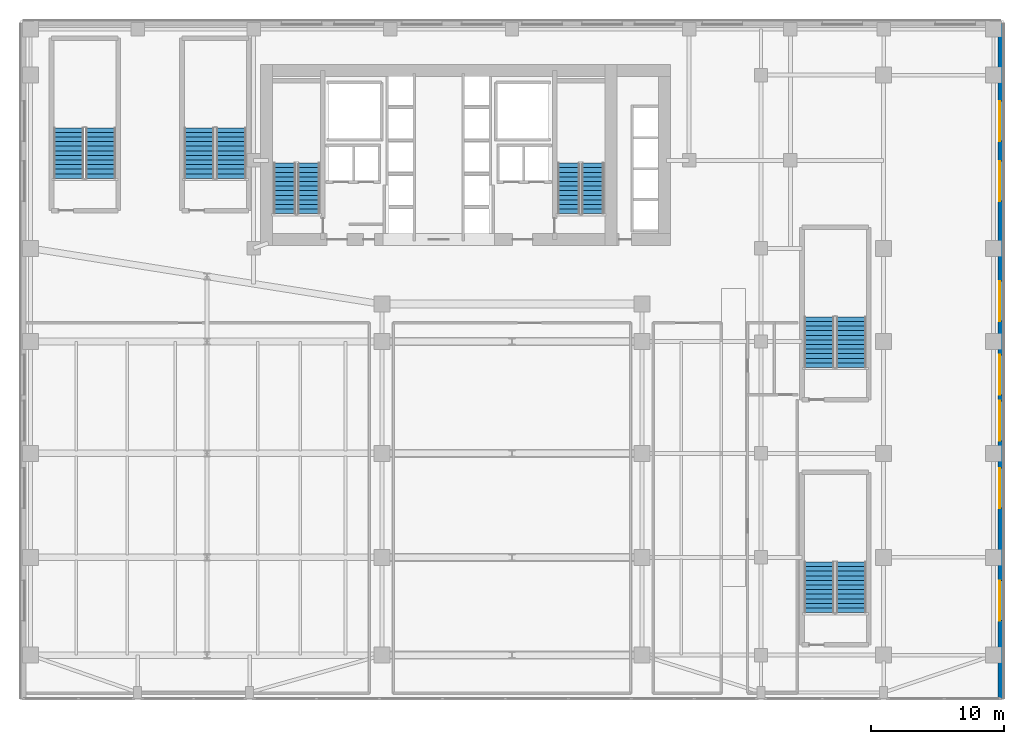
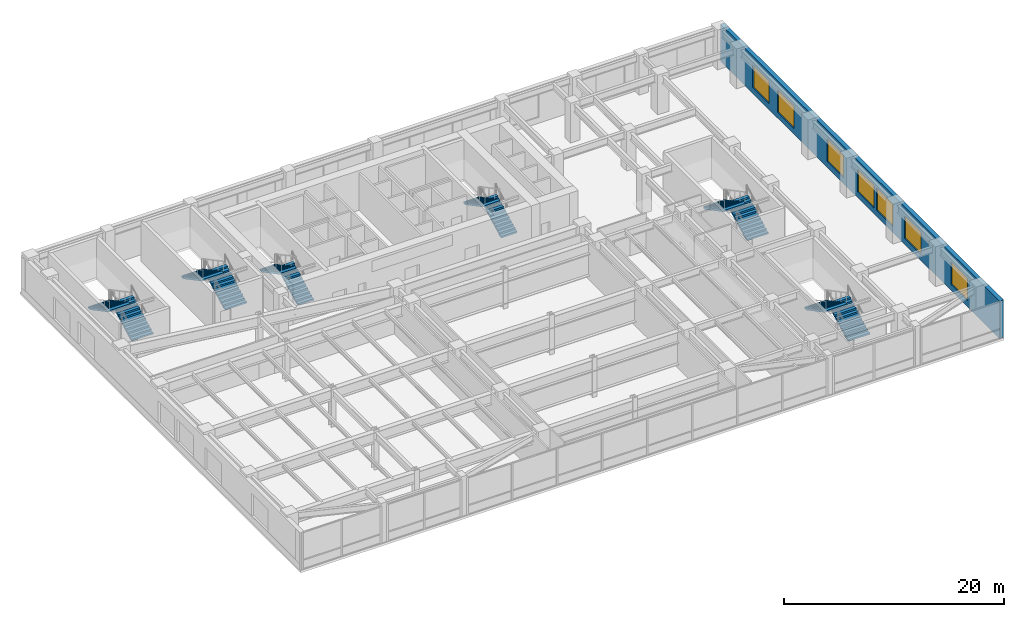
# One storey, part 21 of 27: 12 stair flights, 7 windows, 1 wall, 7 openings, 6 elements without a shape of their own.
"""IFC4 building model written with IfcOpenShell, lengths in metres."""

from ifc_helpers import new_model, si_unit, direction, frame, frame_2d, origin, place, context, subcontext, project, spatial, polyline, rectangle, outline, extrude, source, transform, mapped, material, layer, layer_set, type_object, type_shapes, element, fill, aggregate, save


model = new_model("IFC4")

# Units and contexts
model_context = context("Model", 3, precision=1e-05, world=origin(), true_north=direction((0.0, 1.0)))
body_context = subcontext(model_context, "Body", "Model", "MODEL_VIEW")
ifc_project = project(units=[si_unit("LENGTHUNIT", "METRE"), si_unit("AREAUNIT", "SQUARE_METRE"), si_unit("VOLUMEUNIT", "CUBIC_METRE"), si_unit("PLANEANGLEUNIT", "RADIAN"), si_unit("MASSUNIT", "GRAM", prefix="KILO")], contexts=[model_context])

# Site, building, storey
site_placement = place(None, origin())
site = spatial("IfcSite", under=ifc_project, at=site_placement, CompositionType="ELEMENT")
building_placement = place(site_placement, origin())
building = spatial("IfcBuilding", under=site, at=building_placement, Name="Tolvann Quenvar Hotel", CompositionType="ELEMENT")
storey_placement = place(building_placement, frame((0.0, 0.0, 22.39990234375)))
storey = spatial("IfcBuildingStorey", under=building, at=storey_placement, Name="L04", CompositionType="ELEMENT", Elevation=22.39990234375)

# Wall, openings, windows
ifc_material_1 = material(Name="Kiln-fired red and buff architectural clay brickwork and terracotta masonry", Category="masonry")
ifc_layer = layer(ifc_material_1, 0.419921875)
ifc_layer_set = layer_set([ifc_layer], Name="Kiln-fired red and buff architectural clay brickwork and terracotta masonry")
wall_type = type_object("IfcWallType", Name="WALL_EXT_POD_420", PredefinedType="SOLIDWALL", material=ifc_layer_set)
wall_placement = place(storey_placement, frame((65.18994140625, -2.409912109375, 0.0), z_axis=(0.0, 0.0, 1.0), x_axis=(0.0, 1.0, 0.0)))
wall = element("IfcWall", 1, at=wall_placement, inside=storey, type_object=wall_type, Name="Exterior Chicago Brick Wall L04-E01", PredefinedType="SOLIDWALL", context=body_context, shape_type="SweptSolid", body=[
    extrude(rectangle(XDim=50.699951171875, YDim=0.419921875, at=frame_2d((25.35009765625, 0.0))), origin(), (0.0, 0.0, 1.0), 4.14013671875),
])
opening_1_placement = place(wall_placement, frame((5.85009765625, 0.0, 0.64990234375)))
opening_1 = element("IfcOpeningElement", 2, at=opening_1_placement, cuts=wall, Name="Opening W-05", PredefinedType="OPENING", context=body_context, shape_type="SweptSolid", body=[
    extrude(rectangle(XDim=3.0, YDim=2.5, at=frame_2d((1.5, 1.25))), frame((0.0, 0.219970703125, 0.0), z_axis=(0.0, -1.0, 0.0), x_axis=(1.0, 0.0, 0.0)), (0.0, 0.0, 1.0), 0.43994140625),
])
opening_2_placement = place(wall_placement, frame((14.300048828125, 0.0, 0.64990234375)))
opening_2 = element("IfcOpeningElement", 3, at=opening_2_placement, cuts=wall, Name="Opening W-05", PredefinedType="OPENING", context=body_context, shape_type="SweptSolid", body=[
    extrude(rectangle(XDim=3.0, YDim=2.5, at=frame_2d((1.5, 1.25))), frame((0.0, 0.219970703125, 0.0), z_axis=(0.0, -1.0, 0.0), x_axis=(1.0, 0.0, 0.0)), (0.0, 0.0, 1.0), 0.43994140625),
])
opening_3_placement = place(wall_placement, frame((19.35009765625, 0.0, 0.64990234375)))
opening_3 = element("IfcOpeningElement", 4, at=opening_3_placement, cuts=wall, Name="Opening W-05", PredefinedType="OPENING", context=body_context, shape_type="SweptSolid", body=[
    extrude(rectangle(XDim=3.0, YDim=2.5, at=frame_2d((1.5, 1.25))), frame((0.0, 0.219970703125, 0.0), z_axis=(0.0, -1.0, 0.0), x_axis=(1.0, 0.0, 0.0)), (0.0, 0.0, 1.0), 0.43994140625),
])
opening_4_placement = place(wall_placement, frame((22.800048828125, 0.0, 0.64990234375)))
opening_4 = element("IfcOpeningElement", 5, at=opening_4_placement, cuts=wall, Name="Opening W-05", PredefinedType="OPENING", context=body_context, shape_type="SweptSolid", body=[
    extrude(rectangle(XDim=3.0, YDim=2.5, at=frame_2d((1.5, 1.25))), frame((0.0, 0.219970703125, 0.0), z_axis=(0.0, -1.0, 0.0), x_axis=(1.0, 0.0, 0.0)), (0.0, 0.0, 1.0), 0.43994140625),
])
opening_5_placement = place(wall_placement, frame((28.35009765625, 0.0, 0.64990234375)))
opening_5 = element("IfcOpeningElement", 6, at=opening_5_placement, cuts=wall, Name="Opening W-05", PredefinedType="OPENING", context=body_context, shape_type="SweptSolid", body=[
    extrude(rectangle(XDim=3.0, YDim=2.5, at=frame_2d((1.5, 1.25))), frame((0.0, 0.219970703125, 0.0), z_axis=(0.0, -1.0, 0.0), x_axis=(1.0, 0.0, 0.0)), (0.0, 0.0, 1.0), 0.43994140625),
])
opening_6_placement = place(wall_placement, frame((37.35009765625, 0.0, 0.64990234375)))
opening_6 = element("IfcOpeningElement", 7, at=opening_6_placement, cuts=wall, Name="Opening W-05", PredefinedType="OPENING", context=body_context, shape_type="SweptSolid", body=[
    extrude(rectangle(XDim=3.0, YDim=2.5, at=frame_2d((1.5, 1.25))), frame((0.0, 0.219970703125, 0.0), z_axis=(0.0, -1.0, 0.0), x_axis=(1.0, 0.0, 0.0)), (0.0, 0.0, 1.0), 0.43994140625),
])
opening_7_placement = place(wall_placement, frame((41.85009765625, 0.0, 0.64990234375)))
opening_7 = element("IfcOpeningElement", 8, at=opening_7_placement, cuts=wall, Name="Opening W-05", PredefinedType="OPENING", context=body_context, shape_type="SweptSolid", body=[
    extrude(rectangle(XDim=3.0, YDim=2.5, at=frame_2d((1.5, 1.25))), frame((0.0, 0.219970703125, 0.0), z_axis=(0.0, -1.0, 0.0), x_axis=(1.0, 0.0, 0.0)), (0.0, 0.0, 1.0), 0.43994140625),
])
ifc_material_2 = material(Name="Thermally broken bronze-anodised aluminium frame with double low-E glazing", Category="aluminium")
window_type = type_object("IfcWindowType", Name="WIN_POD_3000x2600", PartitioningType="TRIPLE_PANEL_HORIZONTAL", PredefinedType="WINDOW", material=ifc_material_2)
shared_shape = source(origin(), body_context, "Body", "SweptSolid", [
    extrude(rectangle(XDim=3.0, YDim=2.5, at=frame_2d((1.5, 1.25))), frame((0.0, 0.090087890625, 0.0), z_axis=(0.0, -1.0, 0.0), x_axis=(1.0, 0.0, 0.0)), (0.0, 0.0, 1.0), 0.06005859375),
])
type_shapes(window_type, [shared_shape])
window_1_placement = place(opening_1_placement, origin())
window_1 = element("IfcWindow", 9, at=window_1_placement, inside=storey, type_object=window_type, Name="Chicago Window W-05 (EW-L04-E01-W01)", OverallHeight=2.5, OverallWidth=3.0, PartitioningType="TRIPLE_PANEL_HORIZONTAL", PredefinedType="WINDOW", context=body_context, shape_type="MappedRepresentation", body=[
    mapped(shared_shape, transform((0.0, 0.0, 0.0), x_axis=(1.0, 0.0, 0.0), y_axis=(0.0, 1.0, 0.0), z_axis=(0.0, 0.0, 1.0), scale=1.0)),
])
fill(opening_1, window_1)
window_2_placement = place(opening_2_placement, origin())
window_2 = element("IfcWindow", 10, at=window_2_placement, inside=storey, type_object=window_type, Name="Chicago Window W-05 (EW-L04-E01-W02)", OverallHeight=2.5, OverallWidth=3.0, PartitioningType="TRIPLE_PANEL_HORIZONTAL", PredefinedType="WINDOW", context=body_context, shape_type="MappedRepresentation", body=[
    mapped(shared_shape, transform((0.0, 0.0, 0.0), x_axis=(1.0, 0.0, 0.0), y_axis=(0.0, 1.0, 0.0), z_axis=(0.0, 0.0, 1.0), scale=1.0)),
])
fill(opening_2, window_2)
window_3_placement = place(opening_3_placement, origin())
window_3 = element("IfcWindow", 11, at=window_3_placement, inside=storey, type_object=window_type, Name="Chicago Window W-05 (EW-L04-E01-W03)", OverallHeight=2.5, OverallWidth=3.0, PartitioningType="TRIPLE_PANEL_HORIZONTAL", PredefinedType="WINDOW", context=body_context, shape_type="MappedRepresentation", body=[
    mapped(shared_shape, transform((0.0, 0.0, 0.0), x_axis=(1.0, 0.0, 0.0), y_axis=(0.0, 1.0, 0.0), z_axis=(0.0, 0.0, 1.0), scale=1.0)),
])
fill(opening_3, window_3)
window_4_placement = place(opening_4_placement, origin())
window_4 = element("IfcWindow", 12, at=window_4_placement, inside=storey, type_object=window_type, Name="Chicago Window W-05 (EW-L04-E01-W04)", OverallHeight=2.5, OverallWidth=3.0, PartitioningType="TRIPLE_PANEL_HORIZONTAL", PredefinedType="WINDOW", context=body_context, shape_type="MappedRepresentation", body=[
    mapped(shared_shape, transform((0.0, 0.0, 0.0), x_axis=(1.0, 0.0, 0.0), y_axis=(0.0, 1.0, 0.0), z_axis=(0.0, 0.0, 1.0), scale=1.0)),
])
fill(opening_4, window_4)
window_5_placement = place(opening_5_placement, origin())
window_5 = element("IfcWindow", 13, at=window_5_placement, inside=storey, type_object=window_type, Name="Chicago Window W-05 (EW-L04-E01-W05)", OverallHeight=2.5, OverallWidth=3.0, PartitioningType="TRIPLE_PANEL_HORIZONTAL", PredefinedType="WINDOW", context=body_context, shape_type="MappedRepresentation", body=[
    mapped(shared_shape, transform((0.0, 0.0, 0.0), x_axis=(1.0, 0.0, 0.0), y_axis=(0.0, 1.0, 0.0), z_axis=(0.0, 0.0, 1.0), scale=1.0)),
])
fill(opening_5, window_5)
window_6_placement = place(opening_6_placement, origin())
window_6 = element("IfcWindow", 14, at=window_6_placement, inside=storey, type_object=window_type, Name="Chicago Window W-05 (EW-L04-E01-W06)", OverallHeight=2.5, OverallWidth=3.0, PartitioningType="TRIPLE_PANEL_HORIZONTAL", PredefinedType="WINDOW", context=body_context, shape_type="MappedRepresentation", body=[
    mapped(shared_shape, transform((0.0, 0.0, 0.0), x_axis=(1.0, 0.0, 0.0), y_axis=(0.0, 1.0, 0.0), z_axis=(0.0, 0.0, 1.0), scale=1.0)),
])
fill(opening_6, window_6)
window_7_placement = place(opening_7_placement, origin())
window_7 = element("IfcWindow", 15, at=window_7_placement, inside=storey, type_object=window_type, Name="Chicago Window W-05 (EW-L04-E01-W07)", OverallHeight=2.5, OverallWidth=3.0, PartitioningType="TRIPLE_PANEL_HORIZONTAL", PredefinedType="WINDOW", context=body_context, shape_type="MappedRepresentation", body=[
    mapped(shared_shape, transform((0.0, 0.0, 0.0), x_axis=(1.0, 0.0, 0.0), y_axis=(0.0, 1.0, 0.0), z_axis=(0.0, 0.0, 1.0), scale=1.0)),
])
fill(opening_7, window_7)

# Stair, stair flights
ifc_material_3 = material(Name="Concrete N40 (40 MPa)", Category="concrete")
stair_type = type_object("IfcStairType", Name="STAIR", PredefinedType="HALF_TURN_STAIR", material=ifc_material_3)
stair_1_placement = place(storey_placement, origin())
stair_1 = element("IfcStair", 16, at=stair_1_placement, inside=storey, type_object=stair_type, Name="L04 ST-C1", PredefinedType="HALF_TURN_STAIR")
stair_flight_type = type_object("IfcStairFlightType", Name="STAIR_FLIGHT", PredefinedType="STRAIGHT", material=ifc_material_3)
stair_flight_1_placement = place(storey_placement, frame((13.22509765625, 34.0, 0.0), z_axis=(0.0, 0.0, 1.0), x_axis=(0.0, 1.0, 0.0)))
stair_flight_1 = element("IfcStairFlight", 17, at=stair_flight_1_placement, type_object=stair_flight_type, Name="ST-C1 flight 1", NumberOfRisers=12, NumberOfTreads=11, PredefinedType="STRAIGHT", RiserHeight=0.183333333, TreadLength=0.345, context=body_context, shape_type="SweptSolid", body=[
    extrude(outline(polyline([(0.0, 0.0), (0.0, 0.183349609375), (0.344970703125, 0.183349609375), (0.344970703125, 0.36669921875), (0.68994140625, 0.36669921875), (0.68994140625, 0.550048828125), (1.034912109375, 0.550048828125), (1.034912109375, 0.7333984375), (1.3798828125, 0.7333984375), (1.3798828125, 0.916748046875), (1.72509765625, 0.916748046875), (1.72509765625, 1.10009765625), (2.070068359375, 1.10009765625), (2.070068359375, 1.283447265625), (2.4150390625, 1.283447265625), (2.4150390625, 1.466552734375), (2.760009765625, 1.466552734375), (2.760009765625, 1.64990234375), (3.10498046875, 1.64990234375), (3.10498046875, 1.833251953125), (3.449951171875, 1.833251953125), (3.449951171875, 2.0166015625), (3.794921875, 2.0166015625), (3.794921875, 2.199951171875), (3.794921875, 1.846923828125), (0.3193359375, 0.0), (0.0, 0.0)])), frame((0.0, 0.824951171875, 0.0), z_axis=(0.0, -1.0, 0.0), x_axis=(1.0, 0.0, 0.0)), (0.0, 0.0, 1.0), 1.64990234375),
])
stair_flight_2_placement = place(storey_placement, frame((11.425048828125, 37.794921875, 2.2001953125), z_axis=(0.0, 0.0, 1.0), x_axis=(0.0, -1.0, 0.0)))
stair_flight_2 = element("IfcStairFlight", 18, at=stair_flight_2_placement, type_object=stair_flight_type, Name="ST-C1 flight 2", NumberOfRisers=12, NumberOfTreads=11, PredefinedType="STRAIGHT", RiserHeight=0.183333333, TreadLength=0.345, context=body_context, shape_type="SweptSolid", body=[
    extrude(outline(polyline([(0.0, 0.0), (0.0, 0.183349609375), (0.344970703125, 0.183349609375), (0.344970703125, 0.36669921875), (0.68994140625, 0.36669921875), (0.68994140625, 0.550048828125), (1.034912109375, 0.550048828125), (1.034912109375, 0.7333984375), (1.3798828125, 0.7333984375), (1.3798828125, 0.916748046875), (1.72509765625, 0.916748046875), (1.72509765625, 1.10009765625), (2.070068359375, 1.10009765625), (2.070068359375, 1.283447265625), (2.4150390625, 1.283447265625), (2.4150390625, 1.466552734375), (2.760009765625, 1.466552734375), (2.760009765625, 1.64990234375), (3.10498046875, 1.64990234375), (3.10498046875, 1.833251953125), (3.449951171875, 1.833251953125), (3.449951171875, 2.0166015625), (3.794921875, 2.0166015625), (3.794921875, 2.199951171875), (3.794921875, 1.846923828125), (0.3193359375, 0.0), (0.0, 0.0)])), frame((0.0, 0.824951171875, 0.0), z_axis=(0.0, -1.0, 0.0), x_axis=(1.0, 0.0, 0.0)), (0.0, 0.0, 1.0), 1.64990234375),
])
aggregate(stair_1, [stair_flight_1, stair_flight_2])

stair_2_placement = place(storey_placement, origin())
stair_2 = element("IfcStair", 19, at=stair_2_placement, inside=storey, type_object=stair_type, Name="L04 ST-C2", PredefinedType="HALF_TURN_STAIR")
stair_flight_3_placement = place(storey_placement, frame((34.574951171875, 34.0, 0.0), z_axis=(0.0, 0.0, 1.0), x_axis=(0.0, 1.0, 0.0)))
stair_flight_3 = element("IfcStairFlight", 20, at=stair_flight_3_placement, type_object=stair_flight_type, Name="ST-C2 flight 1", NumberOfRisers=12, NumberOfTreads=11, PredefinedType="STRAIGHT", RiserHeight=0.183333333, TreadLength=0.345, context=body_context, shape_type="SweptSolid", body=[
    extrude(outline(polyline([(0.0, 0.0), (0.0, 0.183349609375), (0.344970703125, 0.183349609375), (0.344970703125, 0.36669921875), (0.68994140625, 0.36669921875), (0.68994140625, 0.550048828125), (1.034912109375, 0.550048828125), (1.034912109375, 0.7333984375), (1.3798828125, 0.7333984375), (1.3798828125, 0.916748046875), (1.72509765625, 0.916748046875), (1.72509765625, 1.10009765625), (2.070068359375, 1.10009765625), (2.070068359375, 1.283447265625), (2.4150390625, 1.283447265625), (2.4150390625, 1.466552734375), (2.760009765625, 1.466552734375), (2.760009765625, 1.64990234375), (3.10498046875, 1.64990234375), (3.10498046875, 1.833251953125), (3.449951171875, 1.833251953125), (3.449951171875, 2.0166015625), (3.794921875, 2.0166015625), (3.794921875, 2.199951171875), (3.794921875, 1.846923828125), (0.3193359375, 0.0), (0.0, 0.0)])), frame((0.0, 0.824951171875, 0.0), z_axis=(0.0, -1.0, 0.0), x_axis=(1.0, 0.0, 0.0)), (0.0, 0.0, 1.0), 1.64990234375),
])
stair_flight_4_placement = place(storey_placement, frame((32.77490234375, 37.794921875, 2.2001953125), z_axis=(0.0, 0.0, 1.0), x_axis=(0.0, -1.0, 0.0)))
stair_flight_4 = element("IfcStairFlight", 21, at=stair_flight_4_placement, type_object=stair_flight_type, Name="ST-C2 flight 2", NumberOfRisers=12, NumberOfTreads=11, PredefinedType="STRAIGHT", RiserHeight=0.183333333, TreadLength=0.345, context=body_context, shape_type="SweptSolid", body=[
    extrude(outline(polyline([(0.0, 0.0), (0.0, 0.183349609375), (0.344970703125, 0.183349609375), (0.344970703125, 0.36669921875), (0.68994140625, 0.36669921875), (0.68994140625, 0.550048828125), (1.034912109375, 0.550048828125), (1.034912109375, 0.7333984375), (1.3798828125, 0.7333984375), (1.3798828125, 0.916748046875), (1.72509765625, 0.916748046875), (1.72509765625, 1.10009765625), (2.070068359375, 1.10009765625), (2.070068359375, 1.283447265625), (2.4150390625, 1.283447265625), (2.4150390625, 1.466552734375), (2.760009765625, 1.466552734375), (2.760009765625, 1.64990234375), (3.10498046875, 1.64990234375), (3.10498046875, 1.833251953125), (3.449951171875, 1.833251953125), (3.449951171875, 2.0166015625), (3.794921875, 2.0166015625), (3.794921875, 2.199951171875), (3.794921875, 1.846923828125), (0.3193359375, 0.0), (0.0, 0.0)])), frame((0.0, 0.824951171875, 0.0), z_axis=(0.0, -1.0, 0.0), x_axis=(1.0, 0.0, 0.0)), (0.0, 0.0, 1.0), 1.64990234375),
])
aggregate(stair_2, [stair_flight_3, stair_flight_4])

stair_3_placement = place(storey_placement, origin())
stair_3 = element("IfcStair", 22, at=stair_3_placement, inside=storey, type_object=stair_type, Name="L04 ST-P1", PredefinedType="HALF_TURN_STAIR")
stair_flight_5_placement = place(storey_placement, frame((-2.375, 36.64990234375, 0.0), z_axis=(0.0, 0.0, 1.0), x_axis=(0.0, 1.0, 0.0)))
stair_flight_5 = element("IfcStairFlight", 23, at=stair_flight_5_placement, type_object=stair_flight_type, Name="ST-P1 flight 1", NumberOfRisers=12, NumberOfTreads=11, PredefinedType="STRAIGHT", RiserHeight=0.183333333, TreadLength=0.345, context=body_context, shape_type="SweptSolid", body=[
    extrude(outline(polyline([(0.0, 0.0), (0.0, 0.183349609375), (0.344970703125, 0.183349609375), (0.344970703125, 0.36669921875), (0.68994140625, 0.36669921875), (0.68994140625, 0.550048828125), (1.034912109375, 0.550048828125), (1.034912109375, 0.7333984375), (1.3798828125, 0.7333984375), (1.3798828125, 0.916748046875), (1.72509765625, 0.916748046875), (1.72509765625, 1.10009765625), (2.070068359375, 1.10009765625), (2.070068359375, 1.283447265625), (2.4150390625, 1.283447265625), (2.4150390625, 1.466552734375), (2.760009765625, 1.466552734375), (2.760009765625, 1.64990234375), (3.10498046875, 1.64990234375), (3.10498046875, 1.833251953125), (3.449951171875, 1.833251953125), (3.449951171875, 2.0166015625), (3.794921875, 2.0166015625), (3.794921875, 2.199951171875), (3.794921875, 1.846923828125), (0.3193359375, 0.0), (0.0, 0.0)])), frame((0.0, 1.125, 0.0), z_axis=(0.0, -1.0, 0.0), x_axis=(1.0, 0.0, 0.0)), (0.0, 0.0, 1.0), 2.25),
])
stair_flight_6_placement = place(storey_placement, frame((-4.77490234375, 40.445068359375, 2.2001953125), z_axis=(0.0, 0.0, 1.0), x_axis=(0.0, -1.0, 0.0)))
stair_flight_6 = element("IfcStairFlight", 24, at=stair_flight_6_placement, type_object=stair_flight_type, Name="ST-P1 flight 2", NumberOfRisers=12, NumberOfTreads=11, PredefinedType="STRAIGHT", RiserHeight=0.183333333, TreadLength=0.345, context=body_context, shape_type="SweptSolid", body=[
    extrude(outline(polyline([(0.0, 0.0), (0.0, 0.183349609375), (0.344970703125, 0.183349609375), (0.344970703125, 0.36669921875), (0.68994140625, 0.36669921875), (0.68994140625, 0.550048828125), (1.034912109375, 0.550048828125), (1.034912109375, 0.7333984375), (1.3798828125, 0.7333984375), (1.3798828125, 0.916748046875), (1.72509765625, 0.916748046875), (1.72509765625, 1.10009765625), (2.070068359375, 1.10009765625), (2.070068359375, 1.283447265625), (2.4150390625, 1.283447265625), (2.4150390625, 1.466552734375), (2.760009765625, 1.466552734375), (2.760009765625, 1.64990234375), (3.10498046875, 1.64990234375), (3.10498046875, 1.833251953125), (3.449951171875, 1.833251953125), (3.449951171875, 2.0166015625), (3.794921875, 2.0166015625), (3.794921875, 2.199951171875), (3.794921875, 1.846923828125), (0.3193359375, 0.0), (0.0, 0.0)])), frame((0.0, 1.125, 0.0), z_axis=(0.0, -1.0, 0.0), x_axis=(1.0, 0.0, 0.0)), (0.0, 0.0, 1.0), 2.25),
])
aggregate(stair_3, [stair_flight_5, stair_flight_6])

stair_4_placement = place(storey_placement, origin())
stair_4 = element("IfcStair", 25, at=stair_4_placement, inside=storey, type_object=stair_type, Name="L04 ST-P2", PredefinedType="HALF_TURN_STAIR")
stair_flight_7_placement = place(storey_placement, frame((7.425048828125, 36.64990234375, 0.0), z_axis=(0.0, 0.0, 1.0), x_axis=(0.0, 1.0, 0.0)))
stair_flight_7 = element("IfcStairFlight", 26, at=stair_flight_7_placement, type_object=stair_flight_type, Name="ST-P2 flight 1", NumberOfRisers=12, NumberOfTreads=11, PredefinedType="STRAIGHT", RiserHeight=0.183333333, TreadLength=0.345, context=body_context, shape_type="SweptSolid", body=[
    extrude(outline(polyline([(0.0, 0.0), (0.0, 0.183349609375), (0.344970703125, 0.183349609375), (0.344970703125, 0.36669921875), (0.68994140625, 0.36669921875), (0.68994140625, 0.550048828125), (1.034912109375, 0.550048828125), (1.034912109375, 0.7333984375), (1.3798828125, 0.7333984375), (1.3798828125, 0.916748046875), (1.72509765625, 0.916748046875), (1.72509765625, 1.10009765625), (2.070068359375, 1.10009765625), (2.070068359375, 1.283447265625), (2.4150390625, 1.283447265625), (2.4150390625, 1.466552734375), (2.760009765625, 1.466552734375), (2.760009765625, 1.64990234375), (3.10498046875, 1.64990234375), (3.10498046875, 1.833251953125), (3.449951171875, 1.833251953125), (3.449951171875, 2.0166015625), (3.794921875, 2.0166015625), (3.794921875, 2.199951171875), (3.794921875, 1.846923828125), (0.3193359375, 0.0), (0.0, 0.0)])), frame((0.0, 1.125, 0.0), z_axis=(0.0, -1.0, 0.0), x_axis=(1.0, 0.0, 0.0)), (0.0, 0.0, 1.0), 2.25),
])
stair_flight_8_placement = place(storey_placement, frame((5.02490234375, 40.445068359375, 2.2001953125), z_axis=(0.0, 0.0, 1.0), x_axis=(0.0, -1.0, 0.0)))
stair_flight_8 = element("IfcStairFlight", 27, at=stair_flight_8_placement, type_object=stair_flight_type, Name="ST-P2 flight 2", NumberOfRisers=12, NumberOfTreads=11, PredefinedType="STRAIGHT", RiserHeight=0.183333333, TreadLength=0.345, context=body_context, shape_type="SweptSolid", body=[
    extrude(outline(polyline([(0.0, 0.0), (0.0, 0.183349609375), (0.344970703125, 0.183349609375), (0.344970703125, 0.36669921875), (0.68994140625, 0.36669921875), (0.68994140625, 0.550048828125), (1.034912109375, 0.550048828125), (1.034912109375, 0.7333984375), (1.3798828125, 0.7333984375), (1.3798828125, 0.916748046875), (1.72509765625, 0.916748046875), (1.72509765625, 1.10009765625), (2.070068359375, 1.10009765625), (2.070068359375, 1.283447265625), (2.4150390625, 1.283447265625), (2.4150390625, 1.466552734375), (2.760009765625, 1.466552734375), (2.760009765625, 1.64990234375), (3.10498046875, 1.64990234375), (3.10498046875, 1.833251953125), (3.449951171875, 1.833251953125), (3.449951171875, 2.0166015625), (3.794921875, 2.0166015625), (3.794921875, 2.199951171875), (3.794921875, 1.846923828125), (0.3193359375, 0.0), (0.0, 0.0)])), frame((0.0, 1.125, 0.0), z_axis=(0.0, -1.0, 0.0), x_axis=(1.0, 0.0, 0.0)), (0.0, 0.0, 1.0), 2.25),
])
aggregate(stair_4, [stair_flight_7, stair_flight_8])

stair_5_placement = place(storey_placement, origin())
stair_5 = element("IfcStair", 28, at=stair_5_placement, inside=storey, type_object=stair_type, Name="L04 ST-P3", PredefinedType="HALF_TURN_STAIR")
stair_flight_9_placement = place(storey_placement, frame((53.97509765625, 4.050048828125, 0.0), z_axis=(0.0, 0.0, 1.0), x_axis=(0.0, 1.0, 0.0)))
stair_flight_9 = element("IfcStairFlight", 29, at=stair_flight_9_placement, type_object=stair_flight_type, Name="ST-P3 flight 1", NumberOfRisers=12, NumberOfTreads=11, PredefinedType="STRAIGHT", RiserHeight=0.183333333, TreadLength=0.345, context=body_context, shape_type="SweptSolid", body=[
    extrude(outline(polyline([(0.0, 0.0), (0.0, 0.183349609375), (0.344970703125, 0.183349609375), (0.344970703125, 0.36669921875), (0.68994140625, 0.36669921875), (0.68994140625, 0.550048828125), (1.034912109375, 0.550048828125), (1.034912109375, 0.7333984375), (1.3798828125, 0.7333984375), (1.3798828125, 0.916748046875), (1.72509765625, 0.916748046875), (1.72509765625, 1.10009765625), (2.070068359375, 1.10009765625), (2.070068359375, 1.283447265625), (2.4150390625, 1.283447265625), (2.4150390625, 1.466552734375), (2.760009765625, 1.466552734375), (2.760009765625, 1.64990234375), (3.10498046875, 1.64990234375), (3.10498046875, 1.833251953125), (3.449951171875, 1.833251953125), (3.449951171875, 2.0166015625), (3.794921875, 2.0166015625), (3.794921875, 2.199951171875), (3.794921875, 1.846923828125), (0.3193359375, 0.0), (0.0, 0.0)])), frame((0.0, 1.125, 0.0), z_axis=(0.0, -1.0, 0.0), x_axis=(1.0, 0.0, 0.0)), (0.0, 0.0, 1.0), 2.25),
])
stair_flight_10_placement = place(storey_placement, frame((51.574951171875, 7.844970703125, 2.2001953125), z_axis=(0.0, 0.0, 1.0), x_axis=(0.0, -1.0, 0.0)))
stair_flight_10 = element("IfcStairFlight", 30, at=stair_flight_10_placement, type_object=stair_flight_type, Name="ST-P3 flight 2", NumberOfRisers=12, NumberOfTreads=11, PredefinedType="STRAIGHT", RiserHeight=0.183333333, TreadLength=0.345, context=body_context, shape_type="SweptSolid", body=[
    extrude(outline(polyline([(0.0, 0.0), (0.0, 0.183349609375), (0.344970703125, 0.183349609375), (0.344970703125, 0.36669921875), (0.68994140625, 0.36669921875), (0.68994140625, 0.550048828125), (1.034912109375, 0.550048828125), (1.034912109375, 0.7333984375), (1.3798828125, 0.7333984375), (1.3798828125, 0.916748046875), (1.72509765625, 0.916748046875), (1.72509765625, 1.10009765625), (2.070068359375, 1.10009765625), (2.070068359375, 1.283447265625), (2.4150390625, 1.283447265625), (2.4150390625, 1.466552734375), (2.760009765625, 1.466552734375), (2.760009765625, 1.64990234375), (3.10498046875, 1.64990234375), (3.10498046875, 1.833251953125), (3.449951171875, 1.833251953125), (3.449951171875, 2.0166015625), (3.794921875, 2.0166015625), (3.794921875, 2.199951171875), (3.794921875, 1.846923828125), (0.3193359375, 0.0), (0.0, 0.0)])), frame((0.0, 1.125, 0.0), z_axis=(0.0, -1.0, 0.0), x_axis=(1.0, 0.0, 0.0)), (0.0, 0.0, 1.0), 2.25),
])
aggregate(stair_5, [stair_flight_9, stair_flight_10])

stair_6_placement = place(storey_placement, origin())
stair_6 = element("IfcStair", 31, at=stair_6_placement, inside=storey, type_object=stair_type, Name="L04 ST-P4", PredefinedType="HALF_TURN_STAIR")
stair_flight_11_placement = place(storey_placement, frame((53.97509765625, 22.449951171875, 0.0), z_axis=(0.0, 0.0, 1.0), x_axis=(0.0, 1.0, 0.0)))
stair_flight_11 = element("IfcStairFlight", 32, at=stair_flight_11_placement, type_object=stair_flight_type, Name="ST-P4 flight 1", NumberOfRisers=12, NumberOfTreads=11, PredefinedType="STRAIGHT", RiserHeight=0.183333333, TreadLength=0.345, context=body_context, shape_type="SweptSolid", body=[
    extrude(outline(polyline([(0.0, 0.0), (0.0, 0.183349609375), (0.344970703125, 0.183349609375), (0.344970703125, 0.36669921875), (0.68994140625, 0.36669921875), (0.68994140625, 0.550048828125), (1.034912109375, 0.550048828125), (1.034912109375, 0.7333984375), (1.3798828125, 0.7333984375), (1.3798828125, 0.916748046875), (1.72509765625, 0.916748046875), (1.72509765625, 1.10009765625), (2.070068359375, 1.10009765625), (2.070068359375, 1.283447265625), (2.4150390625, 1.283447265625), (2.4150390625, 1.466552734375), (2.760009765625, 1.466552734375), (2.760009765625, 1.64990234375), (3.10498046875, 1.64990234375), (3.10498046875, 1.833251953125), (3.449951171875, 1.833251953125), (3.449951171875, 2.0166015625), (3.794921875, 2.0166015625), (3.794921875, 2.199951171875), (3.794921875, 1.846923828125), (0.3193359375, 0.0), (0.0, 0.0)])), frame((0.0, 1.125, 0.0), z_axis=(0.0, -1.0, 0.0), x_axis=(1.0, 0.0, 0.0)), (0.0, 0.0, 1.0), 2.25),
])
stair_flight_12_placement = place(storey_placement, frame((51.574951171875, 26.2451171875, 2.2001953125), z_axis=(0.0, 0.0, 1.0), x_axis=(0.0, -1.0, 0.0)))
stair_flight_12 = element("IfcStairFlight", 33, at=stair_flight_12_placement, type_object=stair_flight_type, Name="ST-P4 flight 2", NumberOfRisers=12, NumberOfTreads=11, PredefinedType="STRAIGHT", RiserHeight=0.183333333, TreadLength=0.345, context=body_context, shape_type="SweptSolid", body=[
    extrude(outline(polyline([(0.0, 0.0), (0.0, 0.183349609375), (0.344970703125, 0.183349609375), (0.344970703125, 0.36669921875), (0.68994140625, 0.36669921875), (0.68994140625, 0.550048828125), (1.034912109375, 0.550048828125), (1.034912109375, 0.7333984375), (1.3798828125, 0.7333984375), (1.3798828125, 0.916748046875), (1.72509765625, 0.916748046875), (1.72509765625, 1.10009765625), (2.070068359375, 1.10009765625), (2.070068359375, 1.283447265625), (2.4150390625, 1.283447265625), (2.4150390625, 1.466552734375), (2.760009765625, 1.466552734375), (2.760009765625, 1.64990234375), (3.10498046875, 1.64990234375), (3.10498046875, 1.833251953125), (3.449951171875, 1.833251953125), (3.449951171875, 2.0166015625), (3.794921875, 2.0166015625), (3.794921875, 2.199951171875), (3.794921875, 1.846923828125), (0.3193359375, 0.0), (0.0, 0.0)])), frame((0.0, 1.125, 0.0), z_axis=(0.0, -1.0, 0.0), x_axis=(1.0, 0.0, 0.0)), (0.0, 0.0, 1.0), 2.25),
])
aggregate(stair_6, [stair_flight_11, stair_flight_12])

save(model, "model.ifc")
